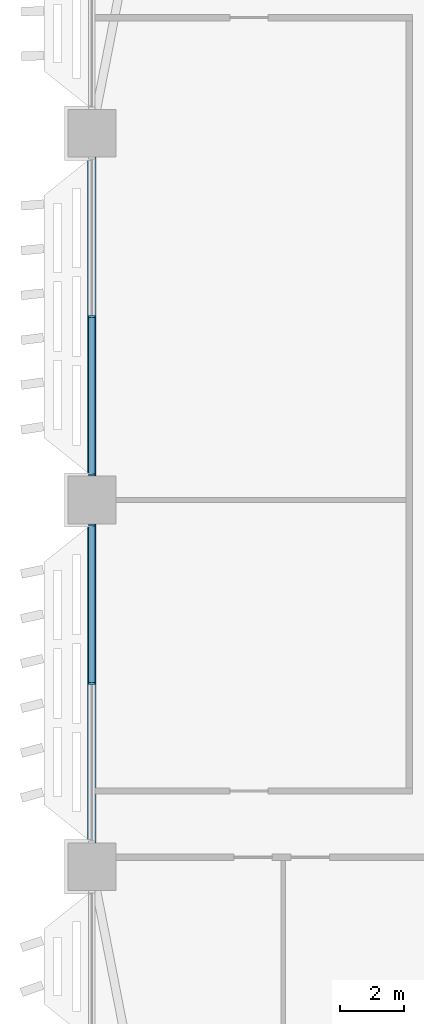
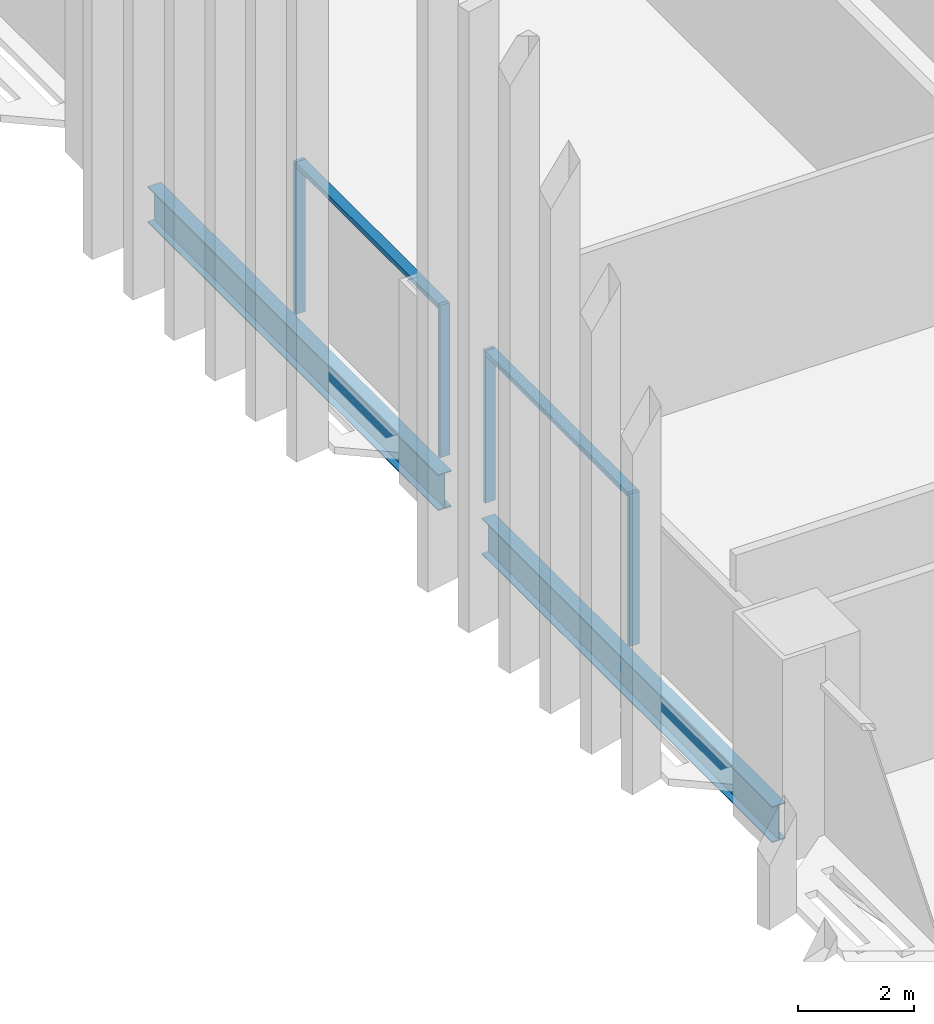
# One storey, part 4 of 29: 6 members, 2 beams, 2 elements without a shape of their own.
"""IFC4 building model written with IfcOpenShell, lengths in metres."""

from ifc_helpers import new_model, si_unit, direction, frame, origin, origin_2d, place, context, subcontext, project, spatial, rectangle, i_section, extrude, material, material_profile, profile_set, type_object, element, aggregate, save


model = new_model("IFC4")

# Units and contexts
model_context = context("Model", 3, precision=1e-05, world=origin(), true_north=direction((0.0, 1.0)))
body_context = subcontext(model_context, "Body", "Model", "MODEL_VIEW")
ifc_project = project(units=[si_unit("LENGTHUNIT", "METRE"), si_unit("AREAUNIT", "SQUARE_METRE"), si_unit("VOLUMEUNIT", "CUBIC_METRE"), si_unit("PLANEANGLEUNIT", "RADIAN"), si_unit("MASSUNIT", "GRAM", prefix="KILO")], contexts=[model_context])

# Site, building, storey
site_placement = place(None, origin())
site = spatial("IfcSite", under=ifc_project, at=site_placement, CompositionType="ELEMENT")
building_placement = place(site_placement, origin())
building = spatial("IfcBuilding", under=site, at=building_placement, Name="Mahtab Terrace Research Tower", CompositionType="ELEMENT")
storey_placement = place(building_placement, frame((0.0, 0.0, 63.199951171875)))
storey = spatial("IfcBuildingStorey", under=building, at=storey_placement, Name="L14", CompositionType="ELEMENT", Elevation=63.199951171875)

# Curtain wall, members
ifc_material_1 = material(Name="Laboratory ribbon curtain wall")
curtain_wall_type = type_object("IfcCurtainWallType", Name="Laboratory ribbon curtain wall", PredefinedType="NOTDEFINED", material=ifc_material_1)
curtain_wall_1_placement = place(storey_placement, origin())
curtain_wall_1 = element("IfcCurtainWall", 1, at=curtain_wall_1_placement, inside=storey, type_object=curtain_wall_type, Name="EN.L14.8.16", PredefinedType="NOTDEFINED")
ifc_material_2 = material(Name="Natural anodised aluminium", Category="aluminium")
ifc_material_profile_1 = material_profile(ifc_material_2, rectangle(XDim=0.199951171875, YDim=0.06494140625, at=origin_2d()), Name="MULLION 65x200")
ifc_profile_set_1 = profile_set([ifc_material_profile_1], Name="Natural anodised aluminium")
member_type_1 = type_object("IfcMemberType", Name="Laboratory ribbon curtain wall mullion", PredefinedType="MULLION", material=ifc_profile_set_1)
member_1_placement = place(storey_placement, frame((-42.0, 5.75, 0.0), z_axis=(0.0, 0.0, 1.0), x_axis=(1.0, 0.0, 0.0)))
member_1 = element("IfcMember", 2, at=member_1_placement, type_object=member_type_1, Name="CWL-2 mullion 2", PredefinedType="MULLION", context=body_context, shape_type="SweptSolid", body=[
    extrude(rectangle(XDim=0.199951171875, YDim=0.06494140625, at=origin_2d()), origin(), (0.0, 0.0, 1.0), 3.203125),
])
member_2_placement = place(storey_placement, frame((-42.0, 0.782470703125, 0.0), z_axis=(0.0, 0.0, 1.0), x_axis=(1.0, 0.0, 0.0)))
member_2 = element("IfcMember", 3, at=member_2_placement, type_object=member_type_1, Name="CWL-2 mullion 3", PredefinedType="MULLION", context=body_context, shape_type="SweptSolid", body=[
    extrude(rectangle(XDim=0.199951171875, YDim=0.06494140625, at=origin_2d()), origin(), (0.0, 0.0, 1.0), 3.203125),
])

curtain_wall_2_placement = place(storey_placement, origin())
curtain_wall_2 = element("IfcCurtainWall", 4, at=curtain_wall_2_placement, inside=storey, type_object=curtain_wall_type, Name="EN.L14.8.17", PredefinedType="NOTDEFINED")
member_3_placement = place(storey_placement, frame((-42.0, -0.782470703125, 0.0), z_axis=(0.0, 0.0, 1.0), x_axis=(1.0, 0.0, 0.0)))
member_3 = element("IfcMember", 5, at=member_3_placement, type_object=member_type_1, Name="CWL-2 mullion 1", PredefinedType="MULLION", context=body_context, shape_type="SweptSolid", body=[
    extrude(rectangle(XDim=0.199951171875, YDim=0.06494140625, at=origin_2d()), origin(), (0.0, 0.0, 1.0), 3.203125),
])
member_4_placement = place(storey_placement, frame((-42.0, -5.75, 0.0), z_axis=(0.0, 0.0, 1.0), x_axis=(1.0, 0.0, 0.0)))
member_4 = element("IfcMember", 6, at=member_4_placement, type_object=member_type_1, Name="CWL-2 mullion 2", PredefinedType="MULLION", context=body_context, shape_type="SweptSolid", body=[
    extrude(rectangle(XDim=0.199951171875, YDim=0.06494140625, at=origin_2d()), origin(), (0.0, 0.0, 1.0), 3.203125),
])

# Member
ifc_material_profile_2 = material_profile(ifc_material_2, rectangle(XDim=0.199951171875, YDim=0.10009765625, at=origin_2d()), Name="TRANSOM 100x200")
ifc_profile_set_2 = profile_set([ifc_material_profile_2], Name="Natural anodised aluminium")
member_type_2 = type_object("IfcMemberType", Name="Laboratory ribbon curtain wall transom", PredefinedType="USERDEFINED", material=ifc_profile_set_2)
member_5_placement = place(storey_placement, frame((-42.0, 5.717529296875, 3.153076171875), z_axis=(0.0, -1.0, 0.0), x_axis=(1.0, 0.0, 0.0)))
member_5 = element("IfcMember", 7, at=member_5_placement, type_object=member_type_2, Name="CWL-2 transom 2", ObjectType="TRANSOM", PredefinedType="USERDEFINED", context=body_context, shape_type="SweptSolid", body=[
    extrude(rectangle(XDim=0.199951171875, YDim=0.10009765625, at=origin_2d()), origin(), (0.0, 0.0, 1.0), 4.902587890625),
])

aggregate(curtain_wall_1, [member_1, member_2, member_5])

member_6_placement = place(storey_placement, frame((-42.0, -0.81494140625, 3.153076171875), z_axis=(0.0, -1.0, 0.0), x_axis=(1.0, 0.0, 0.0)))
member_6 = element("IfcMember", 8, at=member_6_placement, type_object=member_type_2, Name="CWL-2 transom 1", ObjectType="TRANSOM", PredefinedType="USERDEFINED", context=body_context, shape_type="SweptSolid", body=[
    extrude(rectangle(XDim=0.199951171875, YDim=0.10009765625, at=origin_2d()), origin(), (0.0, 0.0, 1.0), 4.902587890625),
])

aggregate(curtain_wall_2, [member_3, member_4, member_6])

# Beams
ifc_material_3 = material(Name="Steel ASTM A992 Gr 50", Category="steel")
ifc_material_profile_3 = material_profile(ifc_material_3, i_section(OverallWidth=0.2666015625, OverallDepth=0.7568359375, WebThickness=0.013916015625, FlangeThickness=0.019287109375, at=origin_2d()), Name="W30X108")
ifc_profile_set_3 = profile_set([ifc_material_profile_3], Name="Steel ASTM A992 Gr 50")
beam_type = type_object("IfcBeamType", Name="W30x108 beam BS30108", PredefinedType="BEAM", material=ifc_profile_set_3)
for number, where, z_axis, x_axis, name in (
    (9, (-42.0, 10.75, -0.718505859375), (0.0, -1.0, 0.0), (1.0, 0.0, 0.0), "Spandrel beam L14 10"),
    (10, (-42.0, -0.75, -0.718505859375), (0.0, -1.0, 0.0), (1.0, 0.0, 0.0), "Spandrel beam L14 11"),
):
    element("IfcBeam", number, at=place(storey_placement, frame(where, z_axis=z_axis, x_axis=x_axis)), inside=storey, type_object=beam_type, Name=name, PredefinedType="BEAM", context=body_context, shape_type="SweptSolid", body=[
        extrude(i_section(OverallWidth=0.2666015625, OverallDepth=0.7568359375, WebThickness=0.013916015625, FlangeThickness=0.019287109375, at=origin_2d()), origin(), (0.0, 0.0, 1.0), 10.0),
    ])

save(model, "model.ifc")
